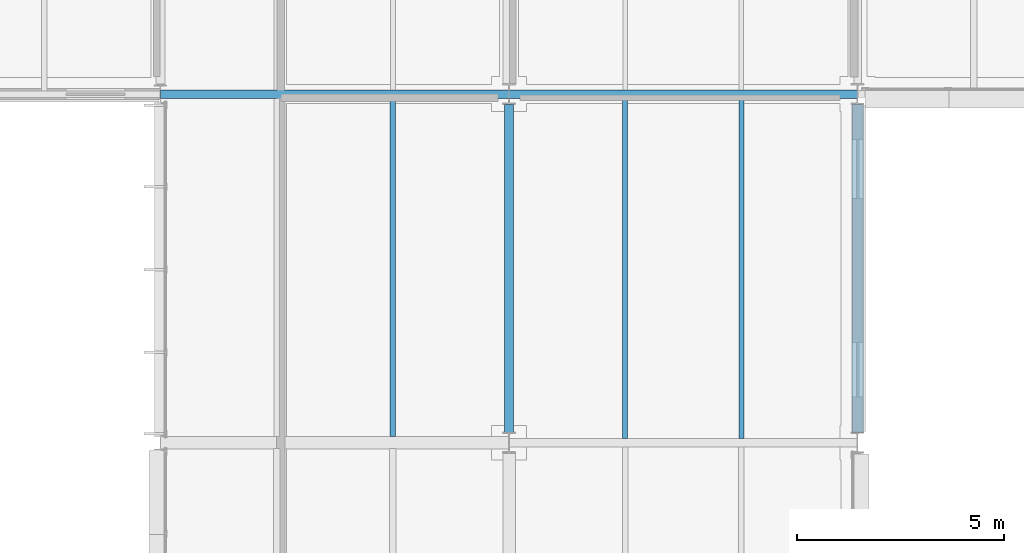
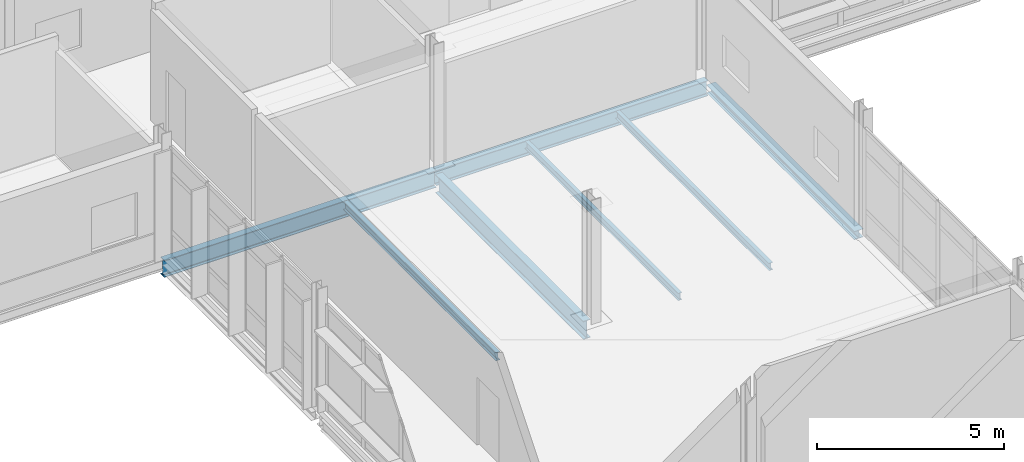
# One storey, part 75 of 131: 7 beams.
"""IFC4 building model written with IfcOpenShell, lengths in metres."""

from ifc_helpers import new_model, si_unit, direction, frame, origin, origin_2d, place, context, subcontext, project, spatial, i_section, extrude, material, material_profile, profile_set, type_object, element, save


model = new_model("IFC4")

# Units and contexts
model_context = context("Model", 3, precision=1e-05, world=origin(), true_north=direction((0.0, 1.0)))
body_context = subcontext(model_context, "Body", "Model", "MODEL_VIEW")
ifc_project = project(units=[si_unit("LENGTHUNIT", "METRE"), si_unit("AREAUNIT", "SQUARE_METRE"), si_unit("VOLUMEUNIT", "CUBIC_METRE"), si_unit("PLANEANGLEUNIT", "RADIAN"), si_unit("MASSUNIT", "GRAM", prefix="KILO")], contexts=[model_context])

# Site, building, storey
site_placement = place(None, origin())
site = spatial("IfcSite", under=ifc_project, at=site_placement, CompositionType="ELEMENT")
building_placement = place(site_placement, origin())
building = spatial("IfcBuilding", under=site, at=building_placement, Name="Mersafa Astral City Hall", CompositionType="ELEMENT")
storey_placement = place(building_placement, frame((0.0, 0.0, 13.949951171875)))
storey = spatial("IfcBuildingStorey", under=building, at=storey_placement, Name="L03", CompositionType="ELEMENT", Elevation=13.949951171875)

# Beams
ifc_material = material(Name="Steel S355", Category="steel")
ifc_material_profile_1 = material_profile(ifc_material, i_section(OverallWidth=0.199951171875, OverallDepth=0.5, WebThickness=0.01025390625, FlangeThickness=0.01611328125, FilletRadius=0.02099609375, at=origin_2d()), Name="IPE 500")
ifc_profile_set_1 = profile_set([ifc_material_profile_1], Name="Steel S355")
beam_type_1 = type_object("IfcBeamType", Name="STR-BM-IPE500", PredefinedType="BEAM", material=ifc_profile_set_1)
beam_1_placement = place(storey_placement, frame((109.202880859375, 117.60009765625, -0.449951171875), z_axis=(1.0, 0.0, 0.0), x_axis=(0.0, 1.0, 0.0)))
element("IfcBeam", 1, at=beam_1_placement, inside=storey, type_object=beam_type_1, Name="L03 Primary girder X 13-14", PredefinedType="BEAM", context=body_context, shape_type="SweptSolid", body=[
    extrude(i_section(OverallWidth=0.199951171875, OverallDepth=0.5, WebThickness=0.01025390625, FlangeThickness=0.01611328125, FilletRadius=0.02099609375, at=origin_2d()), origin(), (0.0, 0.0, 1.0), 8.39404296875),
])
ifc_material_profile_2 = material_profile(ifc_material, i_section(OverallWidth=0.2099609375, OverallDepth=0.550048828125, WebThickness=0.010986328125, FlangeThickness=0.01708984375, FilletRadius=0.02392578125, at=origin_2d()), Name="IPE 550")
ifc_profile_set_2 = profile_set([ifc_material_profile_2], Name="Steel S355")
beam_type_2 = type_object("IfcBeamType", Name="STR-BM-IPE550", PredefinedType="BEAM", material=ifc_profile_set_2)
beam_2_placement = place(storey_placement, frame((100.802978515625, 117.60009765625, -0.474853515625), z_axis=(1.0, 0.0, 0.0), x_axis=(0.0, 1.0, 0.0)))
element("IfcBeam", 2, at=beam_2_placement, inside=storey, type_object=beam_type_2, Name="L03 Primary girder X 12-14", PredefinedType="BEAM", context=body_context, shape_type="SweptSolid", body=[
    extrude(i_section(OverallWidth=0.2099609375, OverallDepth=0.550048828125, WebThickness=0.010986328125, FlangeThickness=0.01708984375, FilletRadius=0.02392578125, at=origin_2d()), origin(), (0.0, 0.0, 1.0), 8.39404296875),
])
ifc_material_profile_3 = material_profile(ifc_material, i_section(OverallWidth=0.219970703125, OverallDepth=0.60009765625, WebThickness=0.011962890625, FlangeThickness=0.01904296875, FilletRadius=0.02392578125, at=origin_2d()), Name="IPE 600")
ifc_profile_set_3 = profile_set([ifc_material_profile_3], Name="Steel S355")
beam_type_3 = type_object("IfcBeamType", Name="STR-BM-IPE600", PredefinedType="BEAM", material=ifc_profile_set_3)
beam_3_placement = place(storey_placement, frame((109.199951171875, 109.445068359375, -0.5), z_axis=(0.0, 1.0, 0.0), x_axis=(-1.0, 0.0, 0.0)))
element("IfcBeam", 3, at=beam_3_placement, inside=storey, type_object=beam_type_3, Name="L03 Primary girder Y 13-13", PredefinedType="BEAM", context=body_context, shape_type="SweptSolid", body=[
    extrude(i_section(OverallWidth=0.219970703125, OverallDepth=0.60009765625, WebThickness=0.011962890625, FlangeThickness=0.01904296875, FilletRadius=0.02392578125, at=origin_2d()), origin(), (0.0, 0.0, 1.0), 7.909912109375),
])
ifc_material_profile_4 = material_profile(ifc_material, i_section(OverallWidth=0.1201171875, OverallDepth=0.239990234375, WebThickness=0.006103515625, FlangeThickness=0.009765625, FilletRadius=0.014892578125, at=origin_2d()), Name="IPE 240")
ifc_profile_set_4 = profile_set([ifc_material_profile_4], Name="Steel S355")
beam_type_4 = type_object("IfcBeamType", Name="STR-BM-JOIST-IPE240", PredefinedType="JOIST", material=ifc_profile_set_4)
for number, where, z_axis, x_axis, name in (
    (4, (112.0, 109.300048828125, -0.320068359375), (0.0, 1.0, 0.0), (-1.0, 0.0, 0.0), "L03 Composite secondary floor joist 626"),
    (5, (114.800048828125, 109.300048828125, -0.320068359375), (0.0, 1.0, 0.0), (-1.0, 0.0, 0.0), "L03 Composite secondary floor joist 627"),
):
    element("IfcBeam", number, at=place(storey_placement, frame(where, z_axis=z_axis, x_axis=x_axis)), inside=storey, type_object=beam_type_4, Name=name, PredefinedType="JOIST", context=body_context, shape_type="SweptSolid", body=[
        extrude(i_section(OverallWidth=0.1201171875, OverallDepth=0.239990234375, WebThickness=0.006103515625, FlangeThickness=0.009765625, FilletRadius=0.014892578125, at=origin_2d()), origin(), (0.0, 0.0, 1.0), 8.204833984375),
    ])
ifc_material_profile_5 = material_profile(ifc_material, i_section(OverallWidth=0.135009765625, OverallDepth=0.27001953125, WebThickness=0.006591796875, FlangeThickness=0.01025390625, FilletRadius=0.014892578125, at=origin_2d()), Name="IPE 270")
ifc_profile_set_5 = profile_set([ifc_material_profile_5], Name="Steel S355")
beam_type_5 = type_object("IfcBeamType", Name="STR-BM-JOIST-IPE270", PredefinedType="JOIST", material=ifc_profile_set_5)
beam_4_placement = place(storey_placement, frame((106.39990234375, 109.344970703125, -0.3349609375), z_axis=(0.0, 1.0, 0.0), x_axis=(-1.0, 0.0, 0.0)))
element("IfcBeam", 6, at=beam_4_placement, inside=storey, type_object=beam_type_5, Name="L03 Composite secondary floor joist 603", PredefinedType="JOIST", context=body_context, shape_type="SweptSolid", body=[
    extrude(i_section(OverallWidth=0.135009765625, OverallDepth=0.27001953125, WebThickness=0.006591796875, FlangeThickness=0.01025390625, FilletRadius=0.014892578125, at=origin_2d()), origin(), (0.0, 0.0, 1.0), 8.155029296875),
])
ifc_material_profile_6 = material_profile(ifc_material, i_section(OverallWidth=0.280029296875, OverallDepth=0.27001953125, WebThickness=0.008056640625, FlangeThickness=0.012939453125, FilletRadius=0.02392578125, at=origin_2d()), Name="HEA 280")
ifc_profile_set_6 = profile_set([ifc_material_profile_6], Name="Steel S355")
beam_type_6 = type_object("IfcBeamType", Name="STR-BM-SPANDREL-HEA280", PredefinedType="SPANDREL", material=ifc_profile_set_6)
beam_5_placement = place(storey_placement, frame((117.60009765625, 109.445068359375, -0.3349609375), z_axis=(0.0, 1.0, 0.0), x_axis=(-1.0, 0.0, 0.0)))
element("IfcBeam", 7, at=beam_5_placement, inside=storey, type_object=beam_type_6, Name="L03 Primary girder Y 14-13", PredefinedType="SPANDREL", context=body_context, shape_type="SweptSolid", body=[
    extrude(i_section(OverallWidth=0.280029296875, OverallDepth=0.27001953125, WebThickness=0.008056640625, FlangeThickness=0.012939453125, FilletRadius=0.02392578125, at=origin_2d()), origin(), (0.0, 0.0, 1.0), 7.909912109375),
])

save(model, "model.ifc")
